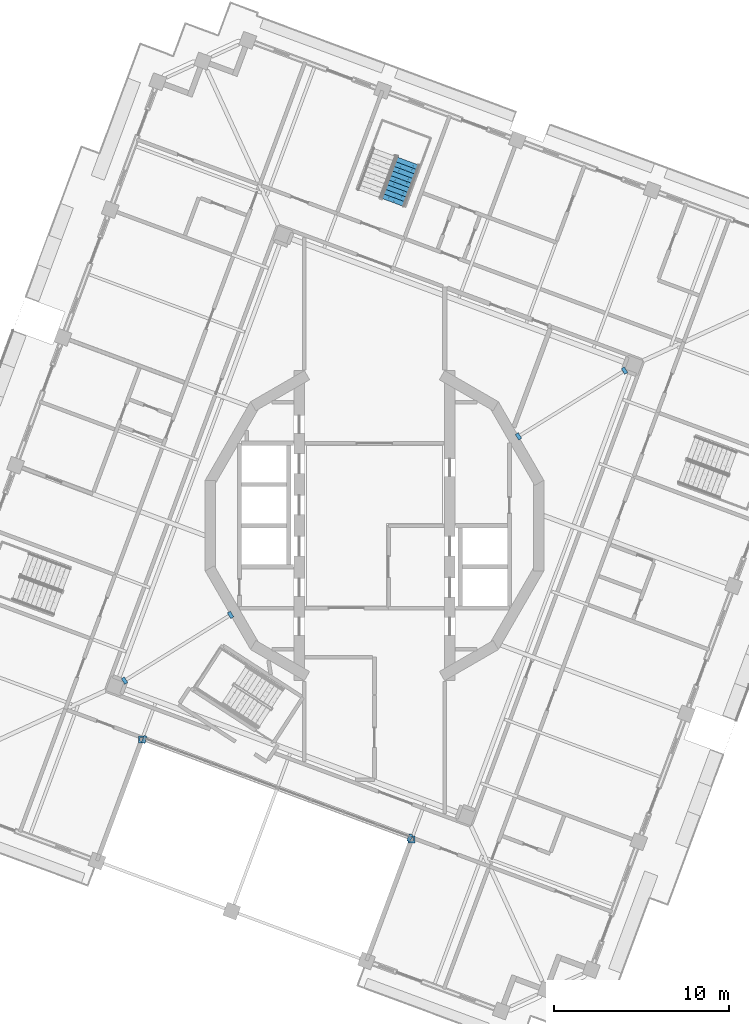
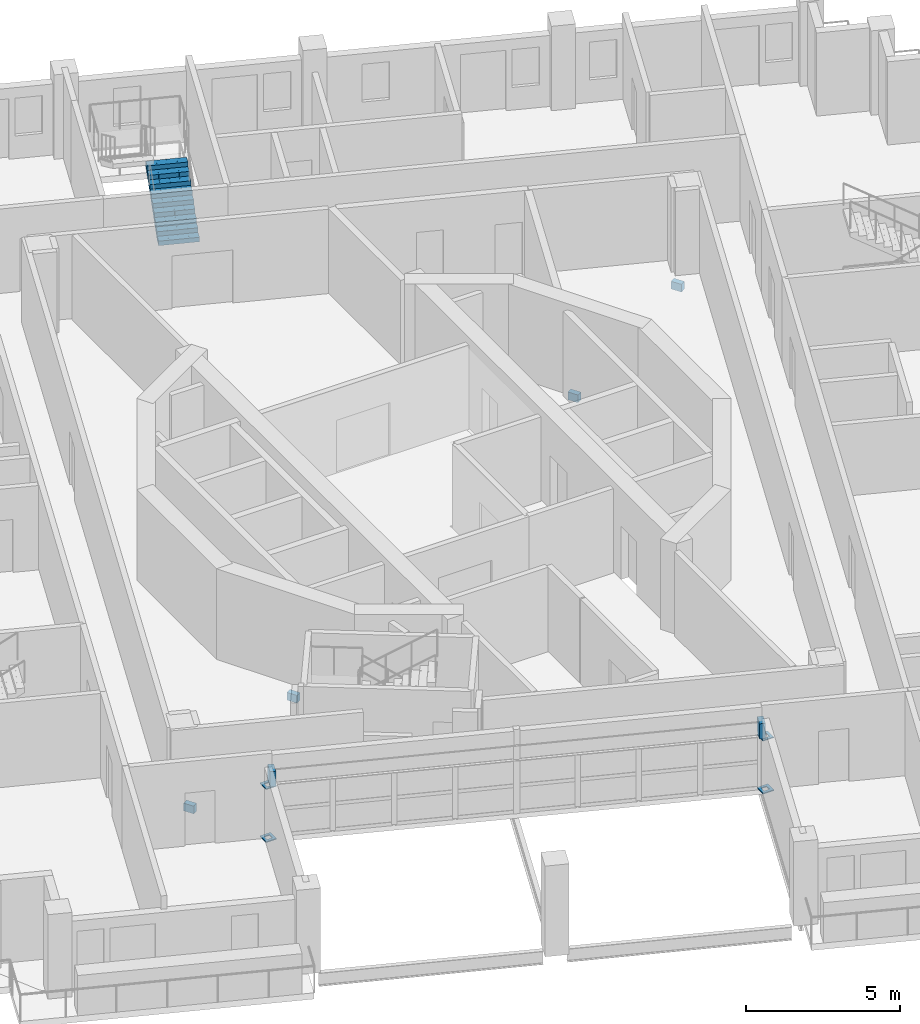
# One storey, part 12 of 19: 10 discrete accessories, 1 stair flight, 1 element without a shape of its own.
"""IFC4 building model written with IfcOpenShell, lengths in metres."""

from ifc_helpers import new_model, si_unit, direction, frame, origin, place, context, subcontext, project, spatial, polyline, outline, extrude, material, layer, layer_set, type_object, element, aggregate, save


model = new_model("IFC4")

# Units and contexts
model_context = context("Model", 3, precision=1e-05, world=origin(), true_north=direction((0.0, 1.0)))
body_context = subcontext(model_context, "Body", "Model", "MODEL_VIEW")
ifc_project = project(units=[si_unit("LENGTHUNIT", "METRE"), si_unit("AREAUNIT", "SQUARE_METRE"), si_unit("VOLUMEUNIT", "CUBIC_METRE"), si_unit("PLANEANGLEUNIT", "RADIAN"), si_unit("MASSUNIT", "GRAM", prefix="KILO")], contexts=[model_context])

# Site, building, storey
site_placement = place(None, origin())
site = spatial("IfcSite", under=ifc_project, at=site_placement, CompositionType="ELEMENT")
building_placement = place(site_placement, origin())
building = spatial("IfcBuilding", under=site, at=building_placement, Name="Cantera Rosa Tower", CompositionType="ELEMENT")
storey_placement = place(building_placement, frame((0.0, 0.0, 320.5)))
storey = spatial("IfcBuildingStorey", under=building, at=storey_placement, Name="L71", CompositionType="ELEMENT", Elevation=320.5)

# Stair, stair flight
ifc_material_1 = material(Name="Concrete C35/45", Category="concrete")
stair_type = type_object("IfcStairType", Name="EXIT STAIR 1350 DOGLEG", PredefinedType="HALF_TURN_STAIR", material=ifc_material_1)
stair_placement = place(storey_placement, origin())
stair = element("IfcStair", 1, at=stair_placement, inside=storey, type_object=stair_type, Name="L71 ST-62", PredefinedType="HALF_TURN_STAIR")
ifc_material_2 = material(Name="Concrete C35/45", Category="concrete")
stair_flight_type = type_object("IfcStairFlightType", Name="STAIR FLIGHT 1350 R20x180", PredefinedType="STRAIGHT", material=ifc_material_2)
stair_flight_placement = place(storey_placement, frame((1.069580078125, 18.426513671875, 0.0), z_axis=(0.0, 0.0, 1.0), x_axis=(0.347481229039, 0.937686938944, 0.0)))
stair_flight = element("IfcStairFlight", 2, at=stair_flight_placement, type_object=stair_flight_type, Name="ST-62 flight 1", NumberOfRisers=10, NumberOfTreads=9, PredefinedType="STRAIGHT", RiserHeight=0.18, TreadLength=0.28, context=body_context, shape_type="SweptSolid", body=[
    extrude(outline(polyline([(0.0, 0.0), (0.0, 0.179931640625), (0.280029296875, 0.179931640625), (0.280029296875, 0.360107421875), (0.56005859375, 0.360107421875), (0.56005859375, 0.5400390625), (0.840087890625, 0.5400390625), (0.840087890625, 0.719970703125), (1.1201171875, 0.719970703125), (1.1201171875, 0.89990234375), (1.39990234375, 0.89990234375), (1.39990234375, 1.080078125), (1.679931640625, 1.080078125), (1.679931640625, 1.260009765625), (1.9599609375, 1.260009765625), (1.9599609375, 1.43994140625), (2.239990234375, 1.43994140625), (2.239990234375, 1.6201171875), (2.52001953125, 1.6201171875), (2.52001953125, 1.800048828125), (2.52001953125, 1.44189453125), (0.277099609375, 0.0), (0.0, 0.0)])), frame((0.0, 0.675048828125, 0.0), z_axis=(0.0, -1.0, 0.0), x_axis=(1.0, 0.0, 0.0)), (0.0, 0.0, 1.0), 0.3359375),
    extrude(outline(polyline([(0.0, 0.0), (0.0, 0.179931640625), (0.280029296875, 0.179931640625), (0.280029296875, 0.360107421875), (0.56005859375, 0.360107421875), (0.56005859375, 0.5400390625), (0.840087890625, 0.5400390625), (0.840087890625, 0.719970703125), (1.1201171875, 0.719970703125), (1.1201171875, 0.89990234375), (1.39990234375, 0.89990234375), (1.39990234375, 1.080078125), (1.679931640625, 1.080078125), (1.679931640625, 1.260009765625), (1.9599609375, 1.260009765625), (1.9599609375, 1.43994140625), (2.239990234375, 1.43994140625), (2.239990234375, 1.6201171875), (2.52001953125, 1.6201171875), (2.52001953125, 1.800048828125), (2.52001953125, 1.44189453125), (0.277099609375, 0.0), (0.0, 0.0)])), frame((0.0, 0.337158203125, 0.0), z_axis=(0.0, -1.0, 0.0), x_axis=(1.0, 0.0, 0.0)), (0.0, 0.0, 1.0), 0.3359375),
    extrude(outline(polyline([(0.0, 0.0), (0.0, 0.179931640625), (0.280029296875, 0.179931640625), (0.280029296875, 0.360107421875), (0.56005859375, 0.360107421875), (0.56005859375, 0.5400390625), (0.840087890625, 0.5400390625), (0.840087890625, 0.719970703125), (1.1201171875, 0.719970703125), (1.1201171875, 0.89990234375), (1.39990234375, 0.89990234375), (1.39990234375, 1.080078125), (1.679931640625, 1.080078125), (1.679931640625, 1.260009765625), (1.9599609375, 1.260009765625), (1.9599609375, 1.43994140625), (2.239990234375, 1.43994140625), (2.239990234375, 1.6201171875), (2.52001953125, 1.6201171875), (2.52001953125, 1.800048828125), (2.52001953125, 1.44189453125), (0.277099609375, 0.0), (0.0, 0.0)])), frame((0.0, -0.000732421875, 0.0), z_axis=(0.0, -1.0, 0.0), x_axis=(1.0, 0.0, 0.0)), (0.0, 0.0, 1.0), 0.3359375),
    extrude(outline(polyline([(0.0, 0.0), (0.0, 0.179931640625), (0.280029296875, 0.179931640625), (0.280029296875, 0.360107421875), (0.56005859375, 0.360107421875), (0.56005859375, 0.5400390625), (0.840087890625, 0.5400390625), (0.840087890625, 0.719970703125), (1.1201171875, 0.719970703125), (1.1201171875, 0.89990234375), (1.39990234375, 0.89990234375), (1.39990234375, 1.080078125), (1.679931640625, 1.080078125), (1.679931640625, 1.260009765625), (1.9599609375, 1.260009765625), (1.9599609375, 1.43994140625), (2.239990234375, 1.43994140625), (2.239990234375, 1.6201171875), (2.52001953125, 1.6201171875), (2.52001953125, 1.800048828125), (2.52001953125, 1.44189453125), (0.277099609375, 0.0), (0.0, 0.0)])), frame((0.0, -0.338623046875, 0.0), z_axis=(0.0, -1.0, 0.0), x_axis=(1.0, 0.0, 0.0)), (0.0, 0.0, 1.0), 0.3359375),
])
aggregate(stair, [stair_flight])

# Discrete accessories
ifc_material_3 = material(Name="Steel ASTM A992 (Fy 345 MPa)", Category="steel")
ifc_layer = layer(ifc_material_3, 0.0400390625)
ifc_layer_set = layer_set([ifc_layer], Name="STEEL BEARING PLATE 40")
discrete_accessory_type = type_object("IfcDiscreteAccessoryType", Name="STEEL BEARING PLATE 40", PredefinedType="ANCHORPLATE", material=ifc_layer_set)
discrete_accessory_1_placement = place(storey_placement, frame((0.0, 0.0, -0.60595703125)))
element("IfcDiscreteAccessory", 3, at=discrete_accessory_1_placement, inside=storey, type_object=discrete_accessory_type, Name="BEARING PLATE PG-Z6-01 end 1 L71", PredefinedType="ANCHORPLATE", context=body_context, shape_type="SweptSolid", body=[
    extrude(outline(polyline([(-14.277099609375, -8.6318359375), (-14.447021484375, -8.7373046875), (-14.247802734375, -9.05859375), (-14.077880859375, -8.953125), (-14.277099609375, -8.6318359375)])), origin(), (0.0, 0.0, 1.0), 0.305908203125),
])
discrete_accessory_2_placement = place(storey_placement, frame((0.0, 0.0, -0.60595703125)))
element("IfcDiscreteAccessory", 4, at=discrete_accessory_2_placement, inside=storey, type_object=discrete_accessory_type, Name="BEARING PLATE PG-Z6-01 end 2 L71", PredefinedType="ANCHORPLATE", context=body_context, shape_type="SweptSolid", body=[
    extrude(outline(polyline([(-8.1982421875, -5.306640625), (-8.0283203125, -5.201416015625), (-8.2275390625, -4.880126953125), (-8.3974609375, -4.985595703125), (-8.1982421875, -5.306640625)])), origin(), (0.0, 0.0, 1.0), 0.305908203125),
])
discrete_accessory_3_placement = place(storey_placement, frame((0.0, 0.0, -0.60595703125)))
element("IfcDiscreteAccessory", 5, at=discrete_accessory_3_placement, inside=storey, type_object=discrete_accessory_type, Name="BEARING PLATE PG-Z6-02 end 1 L71", PredefinedType="ANCHORPLATE", context=body_context, shape_type="SweptSolid", body=[
    extrude(outline(polyline([(14.277099609375, 8.6318359375), (14.447021484375, 8.7373046875), (14.247802734375, 9.05859375), (14.077880859375, 8.953125), (14.277099609375, 8.6318359375)])), origin(), (0.0, 0.0, 1.0), 0.305908203125),
])
discrete_accessory_4_placement = place(storey_placement, frame((0.0, 0.0, -0.60595703125)))
element("IfcDiscreteAccessory", 6, at=discrete_accessory_4_placement, inside=storey, type_object=discrete_accessory_type, Name="BEARING PLATE PG-Z6-02 end 2 L71", PredefinedType="ANCHORPLATE", context=body_context, shape_type="SweptSolid", body=[
    extrude(outline(polyline([(8.1982421875, 5.306640625), (8.0283203125, 5.201416015625), (8.2275390625, 4.880126953125), (8.3974609375, 4.985595703125), (8.1982421875, 5.306640625)])), origin(), (0.0, 0.0, 1.0), 0.305908203125),
])
discrete_accessory_5_placement = place(storey_placement, origin())
element("IfcDiscreteAccessory", 7, at=discrete_accessory_5_placement, inside=storey, type_object=discrete_accessory_type, Name="POST PLATE L71-1F", PredefinedType="ANCHORPLATE", context=body_context, shape_type="SweptSolid", body=[
    extrude(outline(polyline([(-13.466064453125, -12.400390625), (-13.066162109375, -12.400390625), (-13.066162109375, -12.00048828125), (-13.466064453125, -12.00048828125), (-13.466064453125, -12.400390625)]), holes=[polyline([(-13.3662109375, -12.300537109375), (-13.166015625, -12.300537109375), (-13.166015625, -12.1005859375), (-13.3662109375, -12.1005859375), (-13.3662109375, -12.300537109375)])]), origin(), (0.0, 0.0, 1.0), 0.0400390625),
])
discrete_accessory_6_placement = place(storey_placement, frame((0.0, 0.0, 2.10009765625)))
element("IfcDiscreteAccessory", 8, at=discrete_accessory_6_placement, inside=storey, type_object=discrete_accessory_type, Name="POST PLATE L71-1T", PredefinedType="ANCHORPLATE", context=body_context, shape_type="SweptSolid", body=[
    extrude(outline(polyline([(-13.466064453125, -12.400390625), (-13.066162109375, -12.400390625), (-13.066162109375, -12.00048828125), (-13.466064453125, -12.00048828125), (-13.466064453125, -12.400390625)]), holes=[polyline([(-13.3662109375, -12.300537109375), (-13.166015625, -12.300537109375), (-13.166015625, -12.1005859375), (-13.3662109375, -12.1005859375), (-13.3662109375, -12.300537109375)])]), origin(), (0.0, 0.0, 1.0), 0.039794921875),
])
discrete_accessory_7_placement = place(storey_placement, origin())
element("IfcDiscreteAccessory", 9, at=discrete_accessory_7_placement, inside=storey, type_object=discrete_accessory_type, Name="POST PLATE L71-2F", PredefinedType="ANCHORPLATE", context=body_context, shape_type="SweptSolid", body=[
    extrude(outline(polyline([(1.912109375, -18.09912109375), (2.31201171875, -18.09912109375), (2.31201171875, -17.69921875), (1.912109375, -17.69921875), (1.912109375, -18.09912109375)]), holes=[polyline([(2.011962890625, -17.999267578125), (2.2119140625, -17.999267578125), (2.2119140625, -17.79931640625), (2.011962890625, -17.79931640625), (2.011962890625, -17.999267578125)])]), origin(), (0.0, 0.0, 1.0), 0.0400390625),
])
discrete_accessory_8_placement = place(storey_placement, frame((0.0, 0.0, 2.10009765625)))
element("IfcDiscreteAccessory", 10, at=discrete_accessory_8_placement, inside=storey, type_object=discrete_accessory_type, Name="POST PLATE L71-2T", PredefinedType="ANCHORPLATE", context=body_context, shape_type="SweptSolid", body=[
    extrude(outline(polyline([(1.912109375, -18.09912109375), (2.31201171875, -18.09912109375), (2.31201171875, -17.69921875), (1.912109375, -17.69921875), (1.912109375, -18.09912109375)]), holes=[polyline([(2.011962890625, -17.999267578125), (2.2119140625, -17.999267578125), (2.2119140625, -17.79931640625), (2.011962890625, -17.79931640625), (2.011962890625, -17.999267578125)])]), origin(), (0.0, 0.0, 1.0), 0.039794921875),
])
discrete_accessory_9_placement = place(storey_placement, frame((0.0, 0.0, 2.139892578125)))
element("IfcDiscreteAccessory", 11, at=discrete_accessory_9_placement, inside=storey, type_object=discrete_accessory_type, Name="LINTEL PLATE L71-1", PredefinedType="ANCHORPLATE", context=body_context, shape_type="SweptSolid", body=[
    extrude(outline(polyline([(-12.96337890625, -12.03125), (-13.15087890625, -11.961669921875), (-13.2998046875, -12.363037109375), (-13.112060546875, -12.4326171875), (-12.96337890625, -12.03125)])), origin(), (0.0, 0.0, 1.0), 0.60205078125),
])
discrete_accessory_10_placement = place(storey_placement, frame((0.0, 0.0, 2.139892578125)))
element("IfcDiscreteAccessory", 12, at=discrete_accessory_10_placement, inside=storey, type_object=discrete_accessory_type, Name="LINTEL PLATE L71-2", PredefinedType="ANCHORPLATE", context=body_context, shape_type="SweptSolid", body=[
    extrude(outline(polyline([(1.843994140625, -17.974853515625), (2.031494140625, -18.044189453125), (2.180419921875, -17.64306640625), (1.99267578125, -17.573486328125), (1.843994140625, -17.974853515625)])), origin(), (0.0, 0.0, 1.0), 0.60205078125),
])

save(model, "model.ifc")
